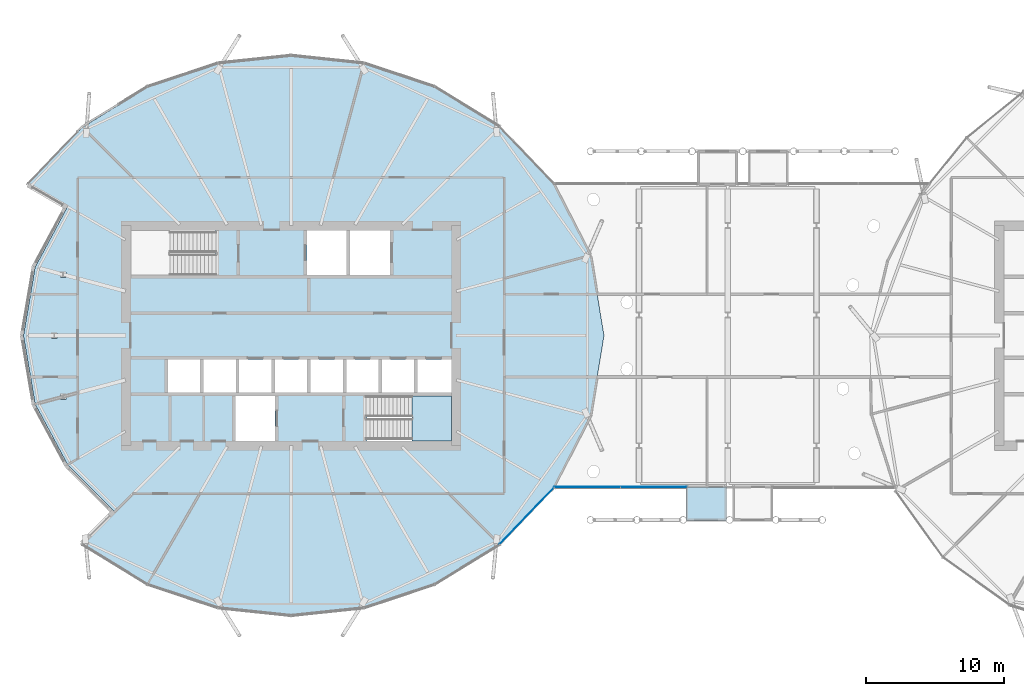
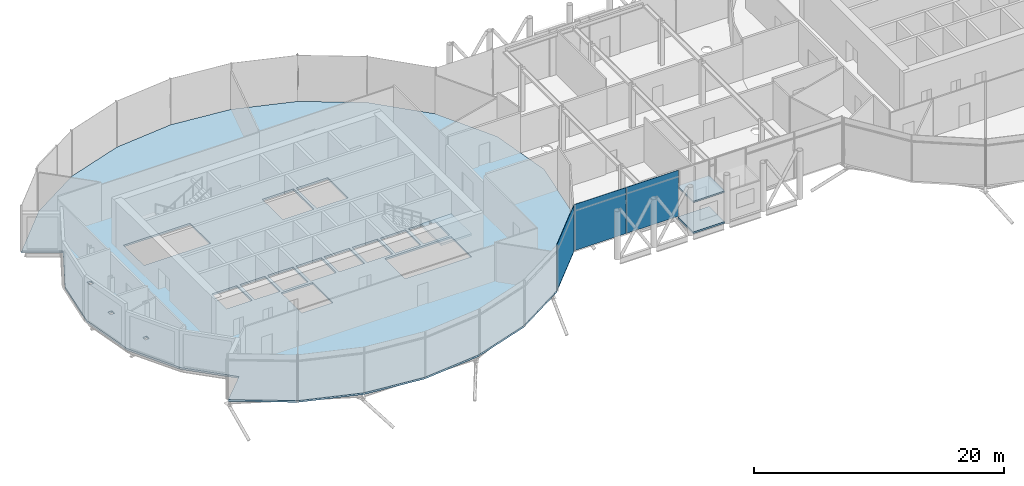
# One storey, part 18 of 36: 4 slabs, 3 plates, 3 elements without a shape of their own.
"""IFC4 building model written with IfcOpenShell, lengths in metres."""

from ifc_helpers import new_model, si_unit, direction, frame, origin, origin_2d, place, context, subcontext, project, spatial, polyline, rectangle, outline, extrude, material, layer, layer_set, type_object, element, aggregate, save


model = new_model("IFC4")

# Units and contexts
model_context = context("Model", 3, precision=1e-05, world=origin(), true_north=direction((0.0, 1.0)))
body_context = subcontext(model_context, "Body", "Model", "MODEL_VIEW")
ifc_project = project(units=[si_unit("LENGTHUNIT", "METRE"), si_unit("AREAUNIT", "SQUARE_METRE"), si_unit("VOLUMEUNIT", "CUBIC_METRE"), si_unit("PLANEANGLEUNIT", "RADIAN"), si_unit("MASSUNIT", "GRAM", prefix="KILO")], contexts=[model_context])

# Site, building, storey
site_placement = place(None, origin())
site = spatial("IfcSite", under=ifc_project, at=site_placement, CompositionType="ELEMENT")
building_placement = place(site_placement, origin())
building = spatial("IfcBuilding", under=site, at=building_placement, Name="Rimbun Link Towers", CompositionType="ELEMENT")
storey_placement = place(building_placement, frame((0.0, 0.0, 154.39990234375)))
storey = spatial("IfcBuildingStorey", under=building, at=storey_placement, Name="L37", CompositionType="ELEMENT", Elevation=154.39990234375)

# Slabs
ifc_material_1 = material(Name="Insulated metal floor panel on steel frame", Category="steel")
ifc_layer_1 = layer(ifc_material_1, 0.159912109375)
ifc_layer_set_1 = layer_set([ifc_layer_1], Name="CAPSULE floor panel 160")
slab_type_1 = type_object("IfcSlabType", Name="CAPSULE floor panel 160", PredefinedType="FLOOR", material=ifc_layer_set_1)
slab_1_placement = place(storey_placement, frame((0.0, 0.0, -0.219970703125)))
element("IfcSlab", 1, at=slab_1_placement, inside=storey, type_object=slab_type_1, Name="CAPSULE F37.11 floor panel", PredefinedType="FLOOR", context=body_context, shape_type="SweptSolid", body=[
    extrude(outline(polyline([(-0.105712890625, -11.0), (-3.005615234375, -11.0), (-3.005615234375, -13.449951171875), (-0.105712890625, -13.449951171875), (-0.105712890625, -11.0)])), origin(), (0.0, 0.0, 1.0), 0.16015625),
])
ifc_material_2 = material(Name="Insulated metal roof panel with terracotta fascia", Category="masonry")
ifc_layer_2 = layer(ifc_material_2, 0.14990234375)
ifc_layer_set_2 = layer_set([ifc_layer_2], Name="CAPSULE roof panel 150")
slab_type_2 = type_object("IfcSlabType", Name="CAPSULE roof panel 150", PredefinedType="ROOF", material=ifc_layer_set_2)
slab_2_placement = place(storey_placement, frame((0.0, 0.0, 2.7900390625)))
element("IfcSlab", 2, at=slab_2_placement, inside=storey, type_object=slab_type_2, Name="CAPSULE F37.11 roof panel", PredefinedType="ROOF", context=body_context, shape_type="SweptSolid", body=[
    extrude(outline(polyline([(-3.005615234375, -13.449951171875), (-0.105712890625, -13.449951171875), (-0.105712890625, -10.949951171875), (-3.005615234375, -10.949951171875), (-3.005615234375, -13.449951171875)])), origin(), (0.0, 0.0, 1.0), 0.150146484375),
])
ifc_material_3 = material(Name="Concrete C35/45", Category="concrete")
ifc_layer_3 = layer(ifc_material_3, 0.179931640625)
ifc_layer_set_3 = layer_set([ifc_layer_3], Name="COMPOSITE FLOOR 180")
slab_type_3 = type_object("IfcSlabType", Name="COMPOSITE FLOOR 180", PredefinedType="FLOOR", material=ifc_layer_set_3)
slab_3_placement = place(storey_placement, frame((0.0, 0.0, -0.179931640625)))
element("IfcSlab", 3, at=slab_3_placement, inside=storey, type_object=slab_type_3, Name="Floor slab T1 L37", PredefinedType="FLOOR", context=body_context, shape_type="SweptSolid", body=[
    extrude(outline(polyline([(-46.904296875, 15.154296875), (-42.175537109375, 18.0576171875), (-37.044189453125, 19.758056640625), (-31.75, 20.315673828125), (-26.455810546875, 19.758056640625), (-21.324462890625, 18.0576171875), (-16.595703125, 15.154296875), (-12.643310546875, 11.03125), (-9.956787109375, 5.839599609375), (-8.99658203125, 0.0), (-9.956787109375, -5.839599609375), (-12.643310546875, -11.03125), (-16.595703125, -15.154296875), (-21.324462890625, -18.0576171875), (-26.455810546875, -19.758056640625), (-31.75, -20.315673828125), (-37.044189453125, -19.758056640625), (-42.175537109375, -18.0576171875), (-46.904296875, -15.154296875), (-44.57080078125, -12.82080078125), (-47.9990234375, -9.38134765625), (-50.355712890625, -4.9853515625), (-51.20361328125, 0.0), (-50.355712890625, 4.9853515625), (-47.9990234375, 9.38134765625), (-50.856689453125, 11.03125), (-46.904296875, 15.154296875)]), holes=[polyline([(-32.89990234375, -7.64990234375), (-32.89990234375, -4.39990234375), (-35.800048828125, -4.39990234375), (-35.800048828125, -7.64990234375), (-32.89990234375, -7.64990234375)]), polyline([(-48.118896484375, -4.63623046875), (-48.118896484375, -4.24267578125), (-48.517822265625, -4.24267578125), (-48.517822265625, -4.63623046875), (-48.118896484375, -4.63623046875)]), polyline([(-38.361083984375, -4.14990234375), (-38.361083984375, -1.75), (-40.70556640625, -1.75), (-40.70556640625, -4.14990234375), (-38.361083984375, -4.14990234375)]), polyline([(-35.7666015625, -4.14990234375), (-35.7666015625, -1.75), (-38.111083984375, -1.75), (-38.111083984375, -4.14990234375), (-35.7666015625, -4.14990234375)]), polyline([(-33.172119140625, -4.14990234375), (-33.172119140625, -1.75), (-35.5166015625, -1.75), (-35.5166015625, -4.14990234375), (-33.172119140625, -4.14990234375)]), polyline([(-48.7646484375, -0.19677734375), (-48.7646484375, 0.19677734375), (-49.163818359375, 0.19677734375), (-49.163818359375, -0.19677734375), (-48.7646484375, -0.19677734375)]), polyline([(-48.118896484375, 4.24267578125), (-48.118896484375, 4.63623046875), (-48.517822265625, 4.63623046875), (-48.517822265625, 4.24267578125), (-48.118896484375, 4.24267578125)]), polyline([(-37.260009765625, 4.39990234375), (-37.260009765625, 7.64990234375), (-43.39990234375, 7.64990234375), (-43.39990234375, 4.39990234375), (-37.260009765625, 4.39990234375)]), polyline([(-20.10009765625, -7.64990234375), (-20.10009765625, -4.39990234375), (-26.239990234375, -4.39990234375), (-26.239990234375, -7.64990234375), (-20.10009765625, -7.64990234375)]), polyline([(-30.577880859375, -4.14990234375), (-30.577880859375, -1.75), (-32.922119140625, -1.75), (-32.922119140625, -4.14990234375), (-30.577880859375, -4.14990234375)]), polyline([(-27.9833984375, -4.14990234375), (-27.9833984375, -1.75), (-30.327880859375, -1.75), (-30.327880859375, -4.14990234375), (-27.9833984375, -4.14990234375)]), polyline([(-25.388916015625, -4.14990234375), (-25.388916015625, -1.75), (-27.7333984375, -1.75), (-27.7333984375, -4.14990234375), (-25.388916015625, -4.14990234375)]), polyline([(-22.79443359375, -4.14990234375), (-22.79443359375, -1.75), (-25.138916015625, -1.75), (-25.138916015625, -4.14990234375), (-22.79443359375, -4.14990234375)]), polyline([(-20.10009765625, -4.14990234375), (-20.10009765625, -1.75), (-22.54443359375, -1.75), (-22.54443359375, -4.14990234375), (-20.10009765625, -4.14990234375)]), polyline([(-27.699951171875, 4.39990234375), (-27.699951171875, 7.64990234375), (-30.60009765625, 7.64990234375), (-30.60009765625, 4.39990234375), (-27.699951171875, 4.39990234375)]), polyline([(-24.550048828125, 4.39990234375), (-24.550048828125, 7.64990234375), (-27.449951171875, 7.64990234375), (-27.449951171875, 4.39990234375), (-24.550048828125, 4.39990234375)])]), origin(), (0.0, 0.0, 1.0), 0.179931640625),
])

# Curtain wall, plate
ifc_material_4 = material(Name="Aluminium 6063-T6 and low-iron glass", Category="aluminium")
curtain_wall_type = type_object("IfcCurtainWallType", Name="CW5 full height lobby wall", PredefinedType="NOTDEFINED", material=ifc_material_4)
curtain_wall_1_placement = place(storey_placement, origin())
curtain_wall_1 = element("IfcCurtainWall", 4, at=curtain_wall_1_placement, inside=storey, type_object=curtain_wall_type, Name="CW5 L37 LB", PredefinedType="NOTDEFINED")
ifc_material_5 = material(Name="Aluminium cladding, insulated panel", Category="aluminium")
ifc_layer_4 = layer(ifc_material_5, 0.031982421875)
ifc_layer_set_4 = layer_set([ifc_layer_4], Name="CW5 insulated panel Aluminium cladding 32")
plate_type_1 = type_object("IfcPlateType", Name="CW5 insulated panel Aluminium cladding 32", PredefinedType="CURTAIN_PANEL", material=ifc_layer_set_4)
plate_1_placement = place(storey_placement, frame((-10.209228515625, -11.01611328125, 0.0), z_axis=(0.0, 0.0, 1.0), x_axis=(-1.0, 0.0, 0.0)))
plate_1 = element("IfcPlate", 5, at=plate_1_placement, type_object=plate_type_1, Name="CW5 insulated panel", PredefinedType="CURTAIN_PANEL", context=body_context, shape_type="SweptSolid", body=[
    extrude(rectangle(XDim=4.795654296875, YDim=0.031982421875, at=origin_2d()), origin(), (0.0, 0.0, 1.0), 4.5),
])

curtain_wall_2_placement = place(storey_placement, origin())
curtain_wall_2 = element("IfcCurtainWall", 6, at=curtain_wall_2_placement, inside=storey, type_object=curtain_wall_type, Name="CW5 L37 T1", PredefinedType="NOTDEFINED")
ifc_material_6 = material(Name="Low-iron glass, laminated low-e unit", Category="glass")
ifc_layer_5 = layer(ifc_material_6, 0.031982421875)
ifc_layer_set_5 = layer_set([ifc_layer_5], Name="CW5 panel Low-iron glass 32")
plate_type_2 = type_object("IfcPlateType", Name="CW5 panel Low-iron glass 32", PredefinedType="CURTAIN_PANEL", material=ifc_layer_set_5)
plate_2_placement = place(storey_placement, frame((-14.60791015625, -13.103759765625, 0.0), z_axis=(0.0, 0.0, 1.0), x_axis=(-0.692041109252, -0.721858090698, 0.0)))
plate_2 = element("IfcPlate", 7, at=plate_2_placement, type_object=plate_type_2, Name="CW5 panel", PredefinedType="CURTAIN_PANEL", context=body_context, shape_type="SweptSolid", body=[
    extrude(rectangle(XDim=5.671630859375, YDim=0.031982421875, at=origin_2d()), origin(), (0.0, 0.0, 1.0), 4.5),
])
aggregate(curtain_wall_2, [plate_2])

# Plate
plate_3_placement = place(storey_placement, frame((-5.37353515625, -11.01611328125, 0.0), z_axis=(0.0, 0.0, 1.0), x_axis=(-1.0, 0.0, 0.0)))
plate_3 = element("IfcPlate", 8, at=plate_3_placement, type_object=plate_type_2, Name="CW5 panel", PredefinedType="CURTAIN_PANEL", context=body_context, shape_type="SweptSolid", body=[
    extrude(rectangle(XDim=4.795654296875, YDim=0.031982421875, at=origin_2d()), origin(), (0.0, 0.0, 1.0), 4.5),
])

aggregate(curtain_wall_1, [plate_3, plate_1])

# Stair, slab
ifc_material_7 = material(Name="Concrete C40/50", Category="concrete")
stair_type = type_object("IfcStairType", Name="Exit stair 4500 rise", PredefinedType="HALF_TURN_STAIR", material=ifc_material_7)
stair_placement = place(storey_placement, origin())
stair = element("IfcStair", 9, at=stair_placement, inside=storey, type_object=stair_type, Name="L37 EXIT STAIR B", PredefinedType="HALF_TURN_STAIR")
ifc_material_8 = material(Name="Concrete C40/50", Category="concrete")
ifc_layer_6 = layer(ifc_material_8, 0.199951171875)
ifc_layer_set_6 = layer_set([ifc_layer_6], Name="Stair landing")
slab_type_4 = type_object("IfcSlabType", Name="Stair landing", PredefinedType="LANDING", material=ifc_layer_set_6)
slab_4_placement = place(storey_placement, frame((0.0, 0.0, 2.050048828125)))
slab_4 = element("IfcSlab", 10, at=slab_4_placement, type_object=slab_type_4, Name="ST2 landing 1", PredefinedType="LANDING", context=body_context, shape_type="SweptSolid", body=[
    extrude(outline(polyline([(-22.93994140625, -7.64990234375), (-20.10009765625, -7.64990234375), (-20.10009765625, -4.39990234375), (-22.93994140625, -4.39990234375), (-22.93994140625, -7.64990234375)])), origin(), (0.0, 0.0, 1.0), 0.199951171875),
])
aggregate(stair, [slab_4])

save(model, "model.ifc")
